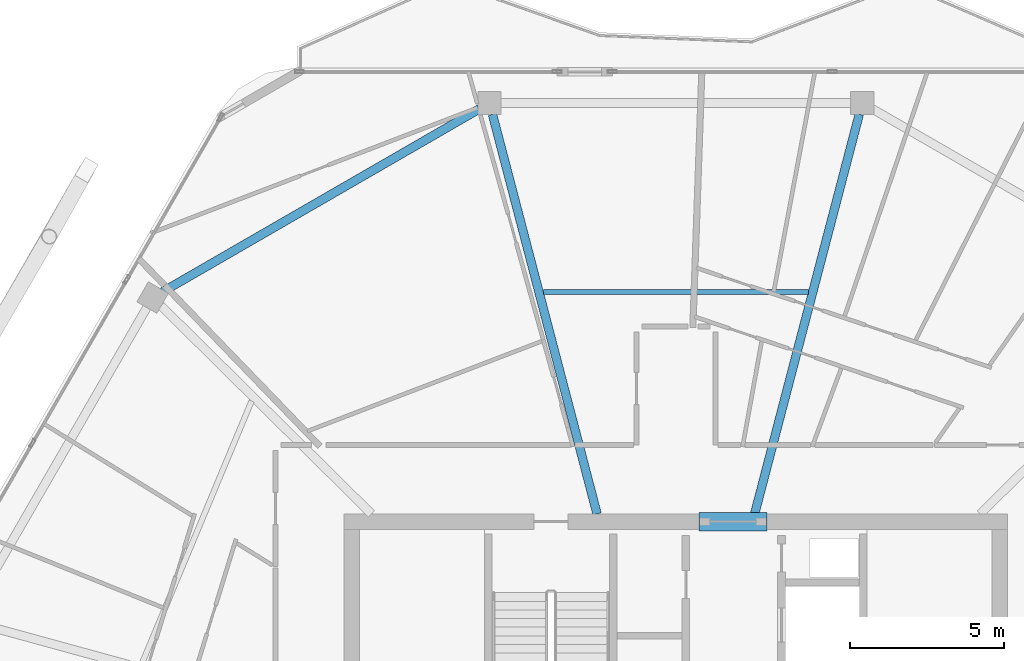
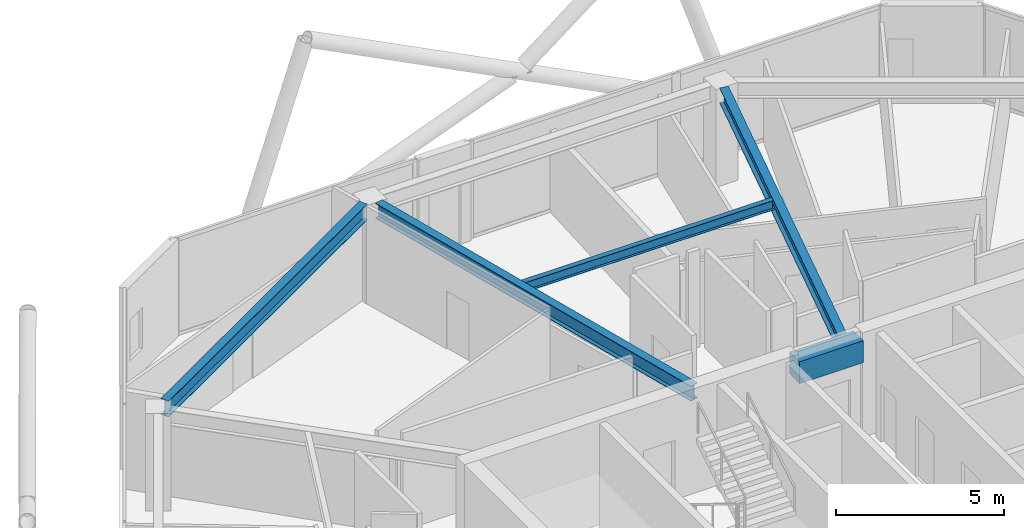
# One storey, part 10 of 23: 5 beams.
"""IFC4 building model written with IfcOpenShell, lengths in metres."""

from ifc_helpers import new_model, si_unit, direction, frame, origin, origin_2d, place, context, subcontext, project, spatial, rectangle, i_section, extrude, material, material_profile, profile_set, type_object, element, save


model = new_model("IFC4")

# Units and contexts
model_context = context("Model", 3, precision=1e-05, world=origin(), true_north=direction((0.0, 1.0)))
body_context = subcontext(model_context, "Body", "Model", "MODEL_VIEW")
ifc_project = project(units=[si_unit("LENGTHUNIT", "METRE"), si_unit("AREAUNIT", "SQUARE_METRE"), si_unit("VOLUMEUNIT", "CUBIC_METRE"), si_unit("PLANEANGLEUNIT", "RADIAN"), si_unit("MASSUNIT", "GRAM", prefix="KILO")], contexts=[model_context])

# Site, building, storey
site_placement = place(None, origin())
site = spatial("IfcSite", under=ifc_project, at=site_placement, CompositionType="ELEMENT")
building_placement = place(site_placement, origin())
building = spatial("IfcBuilding", under=site, at=building_placement, Name="Zuhravey Tower", CompositionType="ELEMENT")
storey_placement = place(building_placement, frame((0.0, 0.0, 346.199951171875)))
storey = spatial("IfcBuildingStorey", under=building, at=storey_placement, Name="L88", CompositionType="ELEMENT", Elevation=346.199951171875)

# Beams
ifc_material_1 = material(Name="Concrete C50/60", Category="concrete")
ifc_material_profile_1 = material_profile(ifc_material_1, rectangle(XDim=0.60009765625, YDim=0.800048828125, at=origin_2d()), Name="RC-600x800")
ifc_profile_set_1 = profile_set([ifc_material_profile_1], Name="Concrete C50/60")
beam_type_1 = type_object("IfcBeamType", Name="Core Coupling Beam RC600x800", PredefinedType="LINTEL", material=ifc_profile_set_1)
beam_1_placement = place(storey_placement, frame((36.751953125, 41.5, 3.150146484375), z_axis=(1.0, 0.0, 0.0), x_axis=(0.0, 1.0, 0.0)))
element("IfcBeam", 1, at=beam_1_placement, inside=storey, type_object=beam_type_1, Name="L88 CB2 BM-L88-CB-N", PredefinedType="LINTEL", context=body_context, shape_type="SweptSolid", body=[
    extrude(rectangle(XDim=0.60009765625, YDim=0.800048828125, at=origin_2d()), origin(), (0.0, 0.0, 1.0), 2.196044921875),
])
ifc_material_2 = material(Name="Steel SM355", Category="steel")
ifc_material_profile_2 = material_profile(ifc_material_2, i_section(OverallWidth=0.280029296875, OverallDepth=0.580078125, WebThickness=0.011962890625, FlangeThickness=0.01904296875, at=origin_2d()), Name="H-580x280x12x19")
ifc_profile_set_2 = profile_set([ifc_material_profile_2], Name="Steel SM355")
beam_type_2 = type_object("IfcBeamType", Name="Perimeter Ring Beam H580x280", PredefinedType="BEAM", material=ifc_profile_set_2)
beam_2_placement = place(storey_placement, frame((29.634033203125, 54.875, 3.260009765625), z_axis=(-0.866030838723, -0.499990586292, 0.0), x_axis=(0.499990586292, -0.866030838723, 0.0)))
element("IfcBeam", 2, at=beam_2_placement, inside=storey, type_object=beam_type_2, Name="L88 PB4 BM-L88-PB-04", PredefinedType="BEAM", context=body_context, shape_type="SweptSolid", body=[
    extrude(i_section(OverallWidth=0.280029296875, OverallDepth=0.580078125, WebThickness=0.011962890625, FlangeThickness=0.01904296875, at=origin_2d()), origin(), (0.0, 0.0, 1.0), 11.848876953125),
])
ifc_material_profile_3 = material_profile(ifc_material_2, i_section(OverallWidth=0.280029296875, OverallDepth=0.550048828125, WebThickness=0.010986328125, FlangeThickness=0.01806640625, at=origin_2d()), Name="H-550x280x11x18")
ifc_profile_set_3 = profile_set([ifc_material_profile_3], Name="Steel SM355")
beam_type_3 = type_object("IfcBeamType", Name="Radial Primary Girder H550x280", PredefinedType="BEAM", material=ifc_profile_set_3)
for number, where, z_axis, x_axis, name in (
    (3, (38.553466796875, 41.7529296875, 3.275146484375), (0.253282562653, 0.967392342049, 0.0), (-0.967392342049, 0.253282562653, 0.0), "L88 RG4 BM-L88-RAD-03"),
    (4, (33.446533203125, 41.7529296875, 3.275146484375), (-0.253282562653, 0.967392342049, 0.0), (-0.967392342049, -0.253282562653, 0.0), "L88 RG4 BM-L88-RAD-04"),
):
    element("IfcBeam", number, at=place(storey_placement, frame(where, z_axis=z_axis, x_axis=x_axis)), inside=storey, type_object=beam_type_3, Name=name, PredefinedType="BEAM", context=body_context, shape_type="SweptSolid", body=[
        extrude(i_section(OverallWidth=0.280029296875, OverallDepth=0.550048828125, WebThickness=0.010986328125, FlangeThickness=0.01806640625, at=origin_2d()), origin(), (0.0, 0.0, 1.0), 13.3818359375),
    ])
ifc_material_profile_4 = material_profile(ifc_material_2, i_section(OverallWidth=0.175048828125, OverallDepth=0.35009765625, WebThickness=0.007080078125, FlangeThickness=0.010986328125, at=origin_2d()), Name="H-350x175x7x11")
ifc_profile_set_4 = profile_set([ifc_material_profile_4], Name="Steel SM355")
beam_type_4 = type_object("IfcBeamType", Name="Secondary Floor Joist H350x175", PredefinedType="JOIST", material=ifc_profile_set_4)
beam_3_placement = place(storey_placement, frame((40.29150390625, 48.94091796875, 3.375), z_axis=(-1.0, 0.0, 0.0), x_axis=(0.0, -1.0, 0.0)))
element("IfcBeam", 5, at=beam_3_placement, inside=storey, type_object=beam_type_4, Name="L88 SJ3 BM-L88-SJ-03-1", PredefinedType="JOIST", context=body_context, shape_type="SweptSolid", body=[
    extrude(i_section(OverallWidth=0.175048828125, OverallDepth=0.35009765625, WebThickness=0.007080078125, FlangeThickness=0.010986328125, at=origin_2d()), origin(), (0.0, 0.0, 1.0), 8.5830078125),
])

save(model, "model.ifc")
